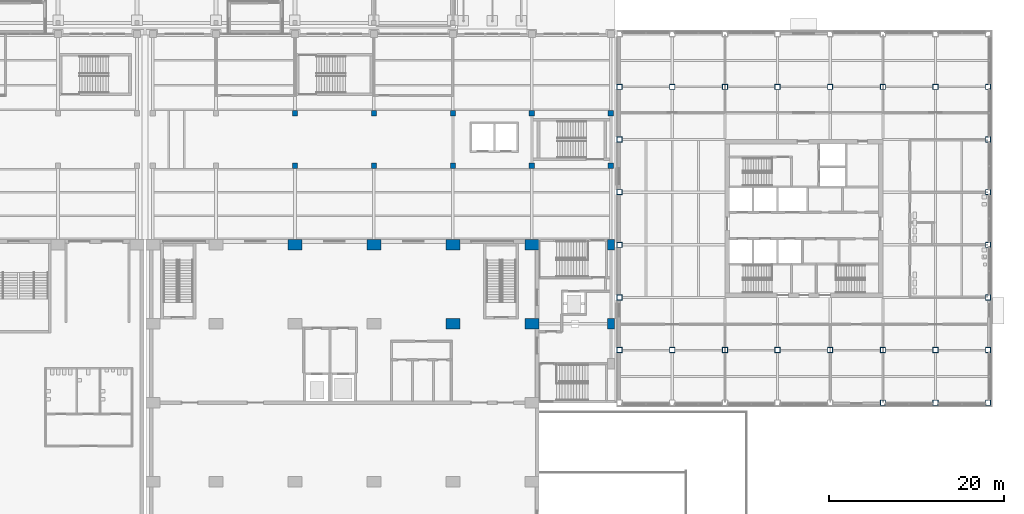
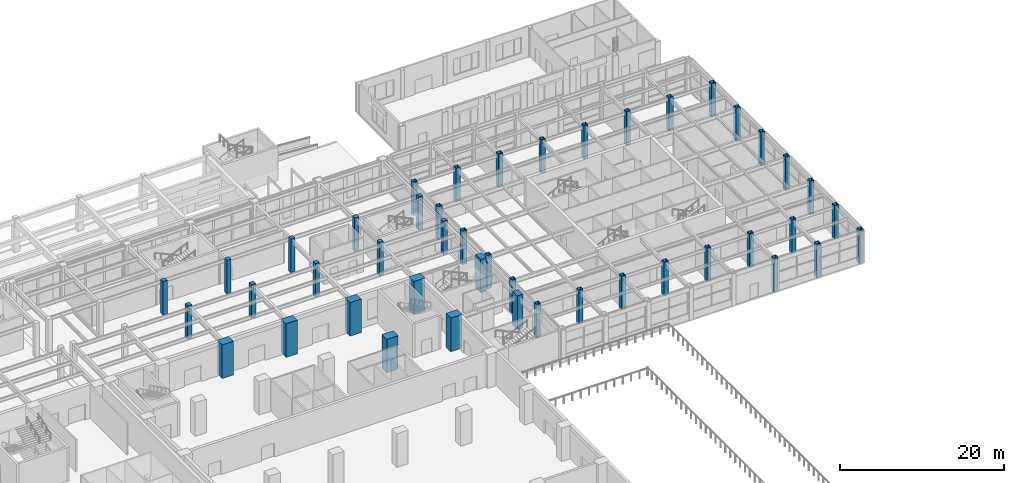
# One storey, part 6 of 77: 45 columns.
"""IFC4 building model written with IfcOpenShell, lengths in metres."""

from ifc_helpers import new_model, si_unit, direction, frame, origin, origin_2d, place, context, subcontext, project, spatial, rectangle, hollow_rectangle, extrude, material, material_profile, profile_set, type_object, element, save


model = new_model("IFC4")

# Units and contexts
model_context = context("Model", 3, precision=1e-05, world=origin(), true_north=direction((0.0, 1.0)))
body_context = subcontext(model_context, "Body", "Model", "MODEL_VIEW")
ifc_project = project(units=[si_unit("LENGTHUNIT", "METRE"), si_unit("AREAUNIT", "SQUARE_METRE"), si_unit("VOLUMEUNIT", "CUBIC_METRE"), si_unit("PLANEANGLEUNIT", "RADIAN"), si_unit("MASSUNIT", "GRAM", prefix="KILO")], contexts=[model_context])

# Site, building, storey
site_placement = place(None, origin())
site = spatial("IfcSite", under=ifc_project, at=site_placement, CompositionType="ELEMENT")
building_placement = place(site_placement, origin())
building = spatial("IfcBuilding", under=site, at=building_placement, Name="Aravalli Gate Trade Fair Centre", CompositionType="ELEMENT")
storey_placement = place(building_placement, origin())
storey = spatial("IfcBuildingStorey", under=building, at=storey_placement, Name="L00", CompositionType="ELEMENT", Elevation=0.0)

# Columns
ifc_material_1 = material(Name="Concrete M45", Category="concrete")
ifc_material_profile_1 = material_profile(ifc_material_1, rectangle(XDim=1.60009765625, YDim=1.199951171875, at=origin_2d()), Name="RC 1600x1200")
ifc_profile_set_1 = profile_set([ifc_material_profile_1], Name="Concrete M45")
column_type_1 = type_object("IfcColumnType", Name="Congress RC column 1600 x 1200", PredefinedType="COLUMN", material=ifc_profile_set_1)
for number, where, z_axis, x_axis, name in (
    (1, (150.0, 100.0, 0.0), (0.0, 0.0, 1.0), (1.0, 0.0, 0.0), "Congress column 150.0/100 L00"),
    (2, (123.0, 109.0, 0.0), (0.0, 0.0, 1.0), (1.0, 0.0, 0.0), "Congress column 123.0/109 L00"),
    (3, (132.0, 109.0, 0.0), (0.0, 0.0, 1.0), (1.0, 0.0, 0.0), "Congress column 132.0/109 L00"),
    (4, (141.0, 109.0, 0.0), (0.0, 0.0, 1.0), (1.0, 0.0, 0.0), "Congress column 141.0/109 L00"),
    (5, (150.0, 109.0, 0.0), (0.0, 0.0, 1.0), (1.0, 0.0, 0.0), "Congress column 150.0/109 L00"),
):
    element("IfcColumn", number, at=place(storey_placement, frame(where, z_axis=z_axis, x_axis=x_axis)), inside=storey, type_object=column_type_1, Name=name, PredefinedType="COLUMN", context=body_context, shape_type="SweptSolid", body=[
        extrude(rectangle(XDim=1.60009765625, YDim=1.199951171875, at=origin_2d()), origin(), (0.0, 0.0, 1.0), 5.0),
    ])
ifc_material_profile_2 = material_profile(ifc_material_1, rectangle(XDim=1.60009765625, YDim=1.199951171875, at=origin_2d()), Name="RC 1600x1200")
ifc_profile_set_2 = profile_set([ifc_material_profile_2], Name="Concrete M45")
column_type_2 = type_object("IfcColumnType", Name="Congress RC column 1600 x 1200, heavy stack", PredefinedType="COLUMN", material=ifc_profile_set_2)
column_placement = place(storey_placement, frame((141.0, 100.0, 0.0), z_axis=(0.0, 0.0, 1.0), x_axis=(1.0, 0.0, 0.0)))
element("IfcColumn", 6, at=column_placement, inside=storey, type_object=column_type_2, Name="Congress column 141.0/100 L00", PredefinedType="COLUMN", context=body_context, shape_type="SweptSolid", body=[
    extrude(rectangle(XDim=1.60009765625, YDim=1.199951171875, at=origin_2d()), origin(), (0.0, 0.0, 1.0), 5.0),
])
ifc_material_2 = material(Name="Concrete M50", Category="concrete")
ifc_material_profile_3 = material_profile(ifc_material_2, rectangle(XDim=0.800048828125, YDim=1.199951171875, at=origin_2d()), Name="Link column 800 x 1200")
ifc_profile_set_3 = profile_set([ifc_material_profile_3], Name="Concrete M50")
column_type_3 = type_object("IfcColumnType", Name="Link column 800 x 1200", PredefinedType="COLUMN", material=ifc_profile_set_3)
for number, where, z_axis, x_axis, name in (
    (7, (159.0, 100.0, 0.0), (0.0, 0.0, 1.0), (1.0, 0.0, 0.0), "Link column EG L00"),
    (8, (159.0, 109.0, 0.0), (0.0, 0.0, 1.0), (1.0, 0.0, 0.0), "Link column EH L00"),
):
    element("IfcColumn", number, at=place(storey_placement, frame(where, z_axis=z_axis, x_axis=x_axis)), inside=storey, type_object=column_type_3, Name=name, PredefinedType="COLUMN", context=body_context, shape_type="SweptSolid", body=[
        extrude(rectangle(XDim=0.800048828125, YDim=1.199951171875, at=origin_2d()), origin(), (0.0, 0.0, 1.0), 5.0),
    ])
ifc_material_profile_4 = material_profile(ifc_material_1, rectangle(XDim=0.60009765625, YDim=0.60009765625, at=origin_2d()), Name="RC column 600 x 600")
ifc_profile_set_4 = profile_set([ifc_material_profile_4], Name="Concrete M45")
column_type_4 = type_object("IfcColumnType", Name="RC column 600 x 600", PredefinedType="COLUMN", material=ifc_profile_set_4)
for number, where, z_axis, x_axis, name in (
    (9, (123.0, 118.0, 0.0), (0.0, 0.0, 1.0), (1.0, 0.0, 0.0), "Concourse column S14 L00"),
    (10, (123.0, 124.0, 0.0), (0.0, 0.0, 1.0), (1.0, 0.0, 0.0), "Concourse column N14 L00"),
    (11, (132.0, 118.0, 0.0), (0.0, 0.0, 1.0), (1.0, 0.0, 0.0), "Concourse column S15 L00"),
    (12, (132.0, 124.0, 0.0), (0.0, 0.0, 1.0), (1.0, 0.0, 0.0), "Concourse column N15 L00"),
    (13, (141.0, 118.0, 0.0), (0.0, 0.0, 1.0), (1.0, 0.0, 0.0), "Concourse column S16 L00"),
    (14, (141.0, 124.0, 0.0), (0.0, 0.0, 1.0), (1.0, 0.0, 0.0), "Concourse column N16 L00"),
    (15, (150.0, 118.0, 0.0), (0.0, 0.0, 1.0), (1.0, 0.0, 0.0), "Concourse column S17 L00"),
    (16, (150.0, 124.0, 0.0), (0.0, 0.0, 1.0), (1.0, 0.0, 0.0), "Concourse column N17 L00"),
    (17, (159.0, 118.0, 0.0), (0.0, 0.0, 1.0), (1.0, 0.0, 0.0), "Concourse column SE L00"),
    (18, (159.0, 124.0, 0.0), (0.0, 0.0, 1.0), (1.0, 0.0, 0.0), "Concourse column NE L00"),
):
    element("IfcColumn", number, at=place(storey_placement, frame(where, z_axis=z_axis, x_axis=x_axis)), inside=storey, type_object=column_type_4, Name=name, PredefinedType="COLUMN", context=body_context, shape_type="SweptSolid", body=[
        extrude(rectangle(XDim=0.60009765625, YDim=0.60009765625, at=origin_2d()), origin(), (0.0, 0.0, 1.0), 5.0),
    ])
ifc_material_3 = material(Name="Steel E350", Category="steel")
ifc_material_profile_5 = material_profile(ifc_material_3, hollow_rectangle(XDim=0.60009765625, YDim=0.60009765625, WallThickness=0.0400390625, at=origin_2d()), Name="BOX 600x600x40")
ifc_profile_set_5 = profile_set([ifc_material_profile_5], Name="Steel E350")
column_type_5 = type_object("IfcColumnType", Name="Wing box column 600 x 600 x 40", PredefinedType="COLUMN", material=ifc_profile_set_5)
for number, where, z_axis, x_axis, name in (
    (19, (160.0, 97.0, 0.0), (0.0, 0.0, 1.0), (1.0, 0.0, 0.0), "Wing column 18/T1 L00"),
    (20, (160.0, 103.0, 0.0), (0.0, 0.0, 1.0), (1.0, 0.0, 0.0), "Wing column 18/T2 L00"),
    (21, (160.0, 109.0, 0.0), (0.0, 0.0, 1.0), (1.0, 0.0, 0.0), "Wing column 18/H L00"),
    (22, (160.0, 115.0, 0.0), (0.0, 0.0, 1.0), (1.0, 0.0, 0.0), "Wing column 18/T3 L00"),
    (23, (160.0, 121.0, 0.0), (0.0, 0.0, 1.0), (1.0, 0.0, 0.0), "Wing column 18/J L00"),
    (24, (160.0, 127.0, 0.0), (0.0, 0.0, 1.0), (1.0, 0.0, 0.0), "Wing column 18/T4 L00"),
    (25, (190.0, 91.0, 0.0), (0.0, 0.0, 1.0), (1.0, 0.0, 0.0), "Wing column 23/F L00"),
    (26, (196.0, 91.0, 0.0), (0.0, 0.0, 1.0), (1.0, 0.0, 0.0), "Wing column 24/F L00"),
    (27, (202.0, 91.0, 0.0), (0.0, 0.0, 1.0), (1.0, 0.0, 0.0), "Wing column 25/F L00"),
    (28, (202.0, 97.0, 0.0), (0.0, 0.0, 1.0), (1.0, 0.0, 0.0), "Wing column 25/T1 L00"),
    (29, (202.0, 103.0, 0.0), (0.0, 0.0, 1.0), (1.0, 0.0, 0.0), "Wing column 25/T2 L00"),
    (30, (202.0, 109.0, 0.0), (0.0, 0.0, 1.0), (1.0, 0.0, 0.0), "Wing column 25/H L00"),
    (31, (202.0, 115.0, 0.0), (0.0, 0.0, 1.0), (1.0, 0.0, 0.0), "Wing column 25/T3 L00"),
    (32, (202.0, 121.0, 0.0), (0.0, 0.0, 1.0), (1.0, 0.0, 0.0), "Wing column 25/J L00"),
    (33, (202.0, 127.0, 0.0), (0.0, 0.0, 1.0), (1.0, 0.0, 0.0), "Wing column 25/T4 L00"),
    (34, (166.0, 97.0, 0.0), (0.0, 0.0, 1.0), (1.0, 0.0, 0.0), "Wing column 19/T1 L00"),
    (35, (172.0, 97.0, 0.0), (0.0, 0.0, 1.0), (1.0, 0.0, 0.0), "Wing column 20/T1 L00"),
    (36, (178.0, 97.0, 0.0), (0.0, 0.0, 1.0), (1.0, 0.0, 0.0), "Wing column 21/T1 L00"),
    (37, (184.0, 97.0, 0.0), (0.0, 0.0, 1.0), (1.0, 0.0, 0.0), "Wing column 22/T1 L00"),
    (38, (190.0, 97.0, 0.0), (0.0, 0.0, 1.0), (1.0, 0.0, 0.0), "Wing column 23/T1 L00"),
    (39, (196.0, 97.0, 0.0), (0.0, 0.0, 1.0), (1.0, 0.0, 0.0), "Wing column 24/T1 L00"),
    (40, (166.0, 127.0, 0.0), (0.0, 0.0, 1.0), (1.0, 0.0, 0.0), "Wing column 19/T4 L00"),
    (41, (172.0, 127.0, 0.0), (0.0, 0.0, 1.0), (1.0, 0.0, 0.0), "Wing column 20/T4 L00"),
    (42, (178.0, 127.0, 0.0), (0.0, 0.0, 1.0), (1.0, 0.0, 0.0), "Wing column 21/T4 L00"),
    (43, (184.0, 127.0, 0.0), (0.0, 0.0, 1.0), (1.0, 0.0, 0.0), "Wing column 22/T4 L00"),
    (44, (190.0, 127.0, 0.0), (0.0, 0.0, 1.0), (1.0, 0.0, 0.0), "Wing column 23/T4 L00"),
    (45, (196.0, 127.0, 0.0), (0.0, 0.0, 1.0), (1.0, 0.0, 0.0), "Wing column 24/T4 L00"),
):
    element("IfcColumn", number, at=place(storey_placement, frame(where, z_axis=z_axis, x_axis=x_axis)), inside=storey, type_object=column_type_5, Name=name, PredefinedType="COLUMN", context=body_context, shape_type="SweptSolid", body=[
        extrude(hollow_rectangle(XDim=0.60009765625, YDim=0.60009765625, WallThickness=0.0400390625, at=origin_2d()), origin(), (0.0, 0.0, 1.0), 5.0),
    ])

save(model, "model.ifc")
